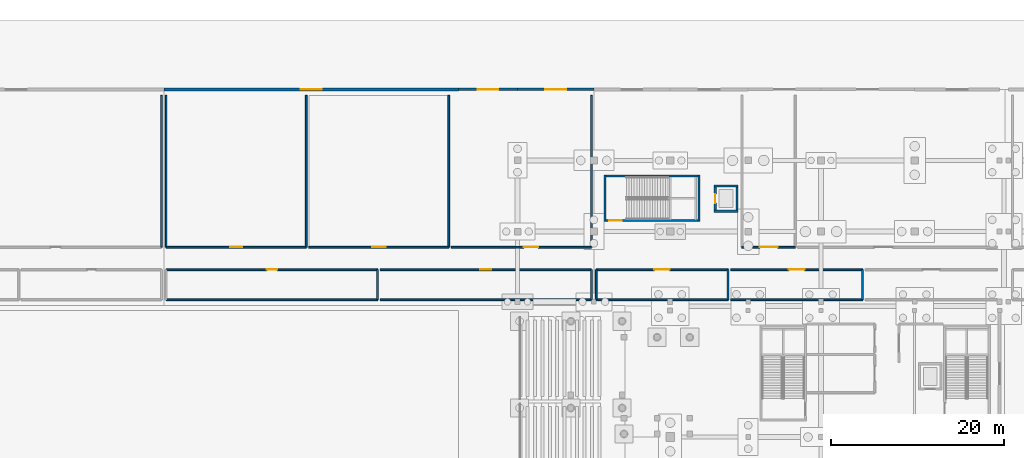
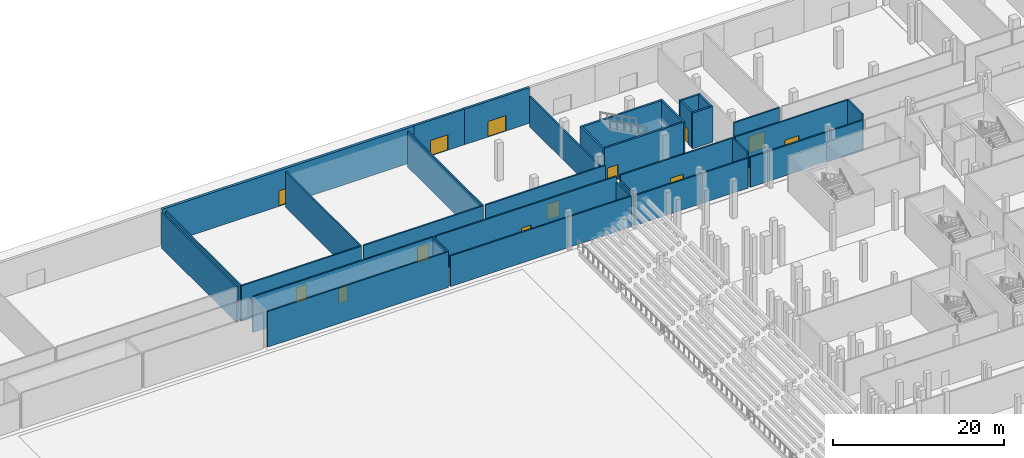
# One storey, part 48 of 89: 33 walls, 13 doors, 13 openings.
"""IFC4 building model written with IfcOpenShell, lengths in metres."""

from ifc_helpers import new_model, si_unit, direction, frame, frame_2d, origin, place, context, subcontext, project, spatial, rectangle, extrude, material, layer, layer_set, type_object, element, fill, save


model = new_model("IFC4")

# Units and contexts
model_context = context("Model", 3, precision=1e-05, world=origin(), true_north=direction((0.0, 1.0)))
body_context = subcontext(model_context, "Body", "Model", "MODEL_VIEW")
ifc_project = project(units=[si_unit("LENGTHUNIT", "METRE"), si_unit("AREAUNIT", "SQUARE_METRE"), si_unit("VOLUMEUNIT", "CUBIC_METRE"), si_unit("PLANEANGLEUNIT", "RADIAN"), si_unit("MASSUNIT", "GRAM", prefix="KILO")], contexts=[model_context])

# Site, building, storey
site_placement = place(None, origin())
site = spatial("IfcSite", under=ifc_project, at=site_placement, CompositionType="ELEMENT")
building_placement = place(site_placement, origin())
building = spatial("IfcBuilding", under=site, at=building_placement, Name="Koshinbarg Plaza Stadium", CompositionType="ELEMENT")
storey_placement = place(building_placement, origin())
storey = spatial("IfcBuildingStorey", under=building, at=storey_placement, Name="L00", CompositionType="ELEMENT", Elevation=0.0)

# Walls
ifc_material_1 = material(Name="Concrete C40/50", Category="concrete")
ifc_layer_1 = layer(ifc_material_1, 0.25)
ifc_layer_set_1 = layer_set([ifc_layer_1], Name="Concrete C40/50")
wall_type_1 = type_object("IfcWallType", Name="WL-CORE-250", PredefinedType="SHEAR", material=ifc_layer_set_1)
for number, where, z_axis, x_axis, name in (
    (1, (172.875, 142.1201171875, 0.0), (0.0, 0.0, 1.0), (0.0, -1.0, 0.0), "L00 core stair shear wall C12-near IWL-L00-0274"),
    (2, (183.72509765625, 136.75, 0.0), (0.0, 0.0, 1.0), (0.0, 1.0, 0.0), "L00 core stair shear wall C12-far IWL-L00-0275"),
):
    element("IfcWall", number, at=place(storey_placement, frame(where, z_axis=z_axis, x_axis=x_axis)), inside=storey, type_object=wall_type_1, Name=name, PredefinedType="SHEAR", context=body_context, shape_type="SweptSolid", body=[
        extrude(rectangle(XDim=5.3701171875, YDim=0.25, at=frame_2d((2.68505859375, 0.0))), origin(), (0.0, 0.0, 1.0), 5.080078125),
    ])
wall_1_placement = place(storey_placement, frame((172.875, 141.9951171875, 0.0), z_axis=(0.0, 0.0, 1.0), x_axis=(1.0, 0.0, 0.0)))
element("IfcWall", 3, at=wall_1_placement, inside=storey, type_object=wall_type_1, Name="L00 core stair shear wall C12-left IWL-L00-0276", PredefinedType="SHEAR", context=body_context, shape_type="SweptSolid", body=[
    extrude(rectangle(XDim=10.85009765625, YDim=0.25, at=frame_2d((5.425048828125, 0.0))), origin(), (0.0, 0.0, 1.0), 5.080078125),
])

# Wall, opening, door
wall_2_placement = place(storey_placement, frame((172.875, 136.875, 0.0), z_axis=(0.0, 0.0, 1.0), x_axis=(1.0, 0.0, 0.0)))
wall_2 = element("IfcWall", 4, at=wall_2_placement, inside=storey, type_object=wall_type_1, Name="L00 core stair shear wall C12-right IWL-L00-0277", PredefinedType="SHEAR", context=body_context, shape_type="SweptSolid", body=[
    extrude(rectangle(XDim=10.85009765625, YDim=0.25, at=frame_2d((5.425048828125, 0.0))), origin(), (0.0, 0.0, 1.0), 5.080078125),
])
opening_1_placement = place(wall_2_placement, frame((0.52001953125, 0.0, 0.0)))
opening_1 = element("IfcOpeningElement", 5, at=opening_1_placement, cuts=wall_2, Name="Opening D-0131", PredefinedType="OPENING", context=body_context, shape_type="SweptSolid", body=[
    extrude(rectangle(XDim=1.39990234375, YDim=2.14990234375, at=frame_2d((0.699951171875, 1.074951171875))), frame((0.0, 0.135009765625, 0.0), z_axis=(0.0, -1.0, 0.0), x_axis=(1.0, 0.0, 0.0)), (0.0, 0.0, 1.0), 0.27001953125),
])
ifc_material_2 = material(Name="Painted galvanized steel fire door", Category="steel")
door_type_1 = type_object("IfcDoorType", Name="DR-STAIR-1400", OperationType="NOTDEFINED", PredefinedType="DOOR", material=ifc_material_2)
door_1_placement = place(opening_1_placement, frame((1.39990234375, 0.0, 0.0), z_axis=(0.0, 0.0, 1.0), x_axis=(-1.0, 0.0, 0.0)))
door_1 = element("IfcDoor", 6, at=door_1_placement, inside=storey, type_object=door_type_1, Name="L00 exit stair door C12", OperationType="SINGLE_SWING_LEFT", OverallHeight=2.14990234375, OverallWidth=1.39990234375, PredefinedType="DOOR", context=body_context, shape_type="SweptSolid", body=[
    extrude(rectangle(XDim=1.39990234375, YDim=2.14990234375, at=frame_2d((0.699951171875, 1.074951171875))), frame((0.0, 0.02490234375, 0.0), z_axis=(0.0, -1.0, 0.0), x_axis=(1.0, 0.0, 0.0)), (0.0, 0.0, 1.0), 0.050048828125),
])
fill(opening_1, door_1)

# Walls
for number, where, z_axis, x_axis, name in (
    (7, (185.47509765625, 137.949951171875, 0.0), (0.0, 0.0, 1.0), (1.0, 0.0, 0.0), "L00 lift shaft shear wall LP08-S IWL-L00-0974"),
    (8, (188.22509765625, 140.85009765625, 0.0), (0.0, 0.0, 1.0), (-1.0, 0.0, 0.0), "L00 lift shaft shear wall LP08-N IWL-L00-0975"),
):
    element("IfcWall", number, at=place(storey_placement, frame(where, z_axis=z_axis, x_axis=x_axis)), inside=storey, type_object=wall_type_1, Name=name, PredefinedType="SHEAR", context=body_context, shape_type="SweptSolid", body=[
        extrude(rectangle(XDim=2.75, YDim=0.25, at=frame_2d((1.375, 0.0))), origin(), (0.0, 0.0, 1.0), 5.080078125),
    ])

# Wall, opening, door
wall_3_placement = place(storey_placement, frame((185.60009765625, 140.85009765625, 0.0), z_axis=(0.0, 0.0, 1.0), x_axis=(0.0, -1.0, 0.0)))
wall_3 = element("IfcWall", 9, at=wall_3_placement, inside=storey, type_object=wall_type_1, Name="L00 lift shaft shear wall LP08-W IWL-L00-0976", PredefinedType="SHEAR", context=body_context, shape_type="SweptSolid", body=[
    extrude(rectangle(XDim=2.900146484375, YDim=0.25, at=frame_2d((1.4501953125, 0.0))), origin(), (0.0, 0.0, 1.0), 5.080078125),
])
opening_2_placement = place(wall_3_placement, frame((0.925048828125, 0.0, 0.0)))
opening_2 = element("IfcOpeningElement", 10, at=opening_2_placement, cuts=wall_3, Name="Opening D-0313", PredefinedType="OPENING", context=body_context, shape_type="SweptSolid", body=[
    extrude(rectangle(XDim=1.050048828125, YDim=2.14990234375, at=frame_2d((0.52490234375, 1.074951171875))), frame((0.0, 0.135009765625, 0.0), z_axis=(0.0, -1.0, 0.0), x_axis=(1.0, 0.0, 0.0)), (0.0, 0.0, 1.0), 0.27001953125),
])
ifc_material_3 = material(Name="Brushed stainless steel sliding lift landing door", Category="steel")
door_type_2 = type_object("IfcDoorType", Name="DR-LIFT-1050", OperationType="NOTDEFINED", PredefinedType="DOOR", material=ifc_material_3)
door_2_placement = place(opening_2_placement, origin())
door_2 = element("IfcDoor", 11, at=door_2_placement, inside=storey, type_object=door_type_2, Name="L00 lift landing door LP08", OperationType="SLIDING_TO_LEFT", OverallHeight=2.14990234375, OverallWidth=1.050048828125, PredefinedType="DOOR", context=body_context, shape_type="SweptSolid", body=[
    extrude(rectangle(XDim=1.050048828125, YDim=2.14990234375, at=frame_2d((0.52490234375, 1.074951171875))), frame((0.0, 0.02490234375, 0.0), z_axis=(0.0, -1.0, 0.0), x_axis=(1.0, 0.0, 0.0)), (0.0, 0.0, 1.0), 0.050048828125),
])
fill(opening_2, door_2)

# Wall
wall_4_placement = place(storey_placement, frame((188.10009765625, 137.949951171875, 0.0), z_axis=(0.0, 0.0, 1.0), x_axis=(0.0, 1.0, 0.0)))
element("IfcWall", 12, at=wall_4_placement, inside=storey, type_object=wall_type_1, Name="L00 lift shaft shear wall LP08-E IWL-L00-0977", PredefinedType="SHEAR", context=body_context, shape_type="SweptSolid", body=[
    extrude(rectangle(XDim=2.900146484375, YDim=0.25, at=frame_2d((1.4501953125, 0.0))), origin(), (0.0, 0.0, 1.0), 5.080078125),
])

# Wall, opening, door
ifc_material_4 = material(Name="Terracotta-ochre mineral plaster insulated wall", Category="masonry")
ifc_layer_2 = layer(ifc_material_4, 0.280029296875)
ifc_layer_set_2 = layer_set([ifc_layer_2], Name="Terracotta-ochre mineral plaster insulated wall")
wall_type_2 = type_object("IfcWallType", Name="WL-EXT-280", PredefinedType="SOLIDWALL", material=ifc_layer_set_2)
wall_5_placement = place(storey_placement, frame((156.0, 152.0, 0.0), z_axis=(0.0, 0.0, 1.0), x_axis=(1.0, 0.0, 0.0)))
wall_5 = element("IfcWall", 13, at=wall_5_placement, inside=storey, type_object=wall_type_2, Name="L00 exterior envelope wall EWL-L00-0028", PredefinedType="SOLIDWALL", context=body_context, shape_type="SweptSolid", body=[
    extrude(rectangle(XDim=6.800048828125, YDim=0.280029296875, at=frame_2d((3.39990234375, 0.0))), origin(), (0.0, 0.0, 1.0), 5.080078125),
])
opening_3_placement = place(wall_5_placement, frame((2.199951171875, 0.0, 0.0)))
opening_3 = element("IfcOpeningElement", 14, at=opening_3_placement, cuts=wall_5, Name="Opening D-0029", PredefinedType="OPENING", context=body_context, shape_type="SweptSolid", body=[
    extrude(rectangle(XDim=2.39990234375, YDim=2.199951171875, at=frame_2d((1.199951171875, 1.10009765625))), frame((0.0, 0.14990234375, 0.0), z_axis=(0.0, -1.0, 0.0), x_axis=(1.0, 0.0, 0.0)), (0.0, 0.0, 1.0), 0.300048828125),
])
ifc_material_5 = material(Name="Anodised aluminium thermally broken exit door", Category="aluminium")
door_type_3 = type_object("IfcDoorType", Name="DR-EXIT-2400", OperationType="NOTDEFINED", PredefinedType="DOOR", material=ifc_material_5)
door_3_placement = place(opening_3_placement, origin())
door_3 = element("IfcDoor", 15, at=door_3_placement, inside=storey, type_object=door_type_3, Name="Main exit E28", OperationType="DOUBLE_DOOR_SINGLE_SWING", OverallHeight=2.199951171875, OverallWidth=2.39990234375, PredefinedType="DOOR", context=body_context, shape_type="SweptSolid", body=[
    extrude(rectangle(XDim=2.39990234375, YDim=2.199951171875, at=frame_2d((1.199951171875, 1.10009765625))), frame((0.0, 0.02490234375, 0.0), z_axis=(0.0, -1.0, 0.0), x_axis=(1.0, 0.0, 0.0)), (0.0, 0.0, 1.0), 0.050048828125),
])
fill(opening_3, door_3)

ifc_material_6 = material(Name="Off-white mineral plaster insulated wall", Category="masonry")
ifc_layer_3 = layer(ifc_material_6, 0.300048828125)
ifc_layer_set_3 = layer_set([ifc_layer_3], Name="Off-white mineral plaster insulated wall")
wall_type_3 = type_object("IfcWallType", Name="WL-EXT-300", PredefinedType="SOLIDWALL", material=ifc_layer_set_3)
wall_6_placement = place(storey_placement, frame((162.800048828125, 152.0, 0.0), z_axis=(0.0, 0.0, 1.0), x_axis=(1.0, 0.0, 0.0)))
wall_6 = element("IfcWall", 16, at=wall_6_placement, inside=storey, type_object=wall_type_3, Name="L00 exterior envelope wall EWL-L00-0029", PredefinedType="SOLIDWALL", context=body_context, shape_type="SweptSolid", body=[
    extrude(rectangle(XDim=8.800048828125, YDim=0.300048828125, at=frame_2d((4.39990234375, 0.0))), origin(), (0.0, 0.0, 1.0), 5.080078125),
])
opening_4_placement = place(wall_6_placement, frame((3.199951171875, 0.0, 0.0)))
opening_4 = element("IfcOpeningElement", 17, at=opening_4_placement, cuts=wall_6, Name="Opening D-0030", PredefinedType="OPENING", context=body_context, shape_type="SweptSolid", body=[
    extrude(rectangle(XDim=2.39990234375, YDim=2.199951171875, at=frame_2d((1.199951171875, 1.10009765625))), frame((0.0, 0.159912109375, 0.0), z_axis=(0.0, -1.0, 0.0), x_axis=(1.0, 0.0, 0.0)), (0.0, 0.0, 1.0), 0.320068359375),
])
door_4_placement = place(opening_4_placement, origin())
door_4 = element("IfcDoor", 18, at=door_4_placement, inside=storey, type_object=door_type_3, Name="Main exit E29", OperationType="DOUBLE_DOOR_SINGLE_SWING", OverallHeight=2.199951171875, OverallWidth=2.39990234375, PredefinedType="DOOR", context=body_context, shape_type="SweptSolid", body=[
    extrude(rectangle(XDim=2.39990234375, YDim=2.199951171875, at=frame_2d((1.199951171875, 1.10009765625))), frame((0.0, 0.02490234375, 0.0), z_axis=(0.0, -1.0, 0.0), x_axis=(1.0, 0.0, 0.0)), (0.0, 0.0, 1.0), 0.050048828125),
])
fill(opening_4, door_4)

ifc_material_7 = material(Name="Acoustic insulated masonry stadium wall", Category="masonry")
ifc_layer_4 = layer(ifc_material_7, 0.35009765625)
ifc_layer_set_4 = layer_set([ifc_layer_4], Name="Acoustic insulated masonry stadium wall")
wall_type_4 = type_object("IfcWallType", Name="WL-EXT-350", PredefinedType="SOLIDWALL", material=ifc_layer_set_4)
wall_7_placement = place(storey_placement, frame((122.0, 152.0, 0.0), z_axis=(0.0, 0.0, 1.0), x_axis=(1.0, 0.0, 0.0)))
wall_7 = element("IfcWall", 19, at=wall_7_placement, inside=storey, type_object=wall_type_4, Name="L00 exterior envelope wall EWL-L00-0027", PredefinedType="SOLIDWALL", context=body_context, shape_type="SweptSolid", body=[
    extrude(rectangle(XDim=34.0, YDim=0.35009765625, at=frame_2d((17.0, 0.0))), origin(), (0.0, 0.0, 1.0), 5.080078125),
])
opening_5_placement = place(wall_7_placement, frame((15.800048828125, 0.0, 0.0)))
opening_5 = element("IfcOpeningElement", 20, at=opening_5_placement, cuts=wall_7, Name="Opening D-0028", PredefinedType="OPENING", context=body_context, shape_type="SweptSolid", body=[
    extrude(rectangle(XDim=2.39990234375, YDim=2.199951171875, at=frame_2d((1.199951171875, 1.10009765625))), frame((0.0, 0.18505859375, 0.0), z_axis=(0.0, -1.0, 0.0), x_axis=(1.0, 0.0, 0.0)), (0.0, 0.0, 1.0), 0.3701171875),
])
door_5_placement = place(opening_5_placement, origin())
door_5 = element("IfcDoor", 21, at=door_5_placement, inside=storey, type_object=door_type_3, Name="Main exit E27", OperationType="DOUBLE_DOOR_SINGLE_SWING", OverallHeight=2.199951171875, OverallWidth=2.39990234375, PredefinedType="DOOR", context=body_context, shape_type="SweptSolid", body=[
    extrude(rectangle(XDim=2.39990234375, YDim=2.199951171875, at=frame_2d((1.199951171875, 1.10009765625))), frame((0.0, 0.02490234375, 0.0), z_axis=(0.0, -1.0, 0.0), x_axis=(1.0, 0.0, 0.0)), (0.0, 0.0, 1.0), 0.050048828125),
])
fill(opening_5, door_5)

# Walls
ifc_material_8 = material(Name="Autoclaved aerated blockwork fire partition", Category="masonry")
ifc_layer_5 = layer(ifc_material_8, 0.199951171875)
ifc_layer_set_5 = layer_set([ifc_layer_5], Name="Autoclaved aerated blockwork fire partition")
wall_type_5 = type_object("IfcWallType", Name="WL-PART-200", PredefinedType="PARTITIONING", material=ifc_layer_set_5)
wall_8_placement = place(storey_placement, frame((121.72998046875, 133.800048828125, 0.0), z_axis=(0.0, 0.0, 1.0), x_axis=(0.0, 1.0, 0.0)))
element("IfcWall", 22, at=wall_8_placement, inside=storey, type_object=wall_type_5, Name="L00 interior partition L00-120-east IWL-L00-1198", PredefinedType="PARTITIONING", context=body_context, shape_type="SweptSolid", body=[
    extrude(rectangle(XDim=17.5, YDim=0.199951171875, at=frame_2d((8.75, 0.0))), origin(), (0.0, 0.0, 1.0), 5.080078125),
])
wall_9_placement = place(storey_placement, frame((122.27001953125, 127.7451171875, 0.0), z_axis=(0.0, 0.0, 1.0), x_axis=(1.0, 0.0, 0.0)))
element("IfcWall", 23, at=wall_9_placement, inside=storey, type_object=wall_type_5, Name="L00 interior partition L00-121-south IWL-L00-1199", PredefinedType="PARTITIONING", context=body_context, shape_type="SweptSolid", body=[
    extrude(rectangle(XDim=24.3798828125, YDim=0.199951171875, at=frame_2d((12.18994140625, 0.0))), origin(), (0.0, 0.0, 1.0), 5.080078125),
])
wall_10_placement = place(storey_placement, frame((146.64990234375, 127.7451171875, 0.0), z_axis=(0.0, 0.0, 1.0), x_axis=(0.0, 1.0, 0.0)))
element("IfcWall", 24, at=wall_10_placement, inside=storey, type_object=wall_type_5, Name="L00 interior partition L00-121-east IWL-L00-1200", PredefinedType="PARTITIONING", context=body_context, shape_type="SweptSolid", body=[
    extrude(rectangle(XDim=3.454833984375, YDim=0.199951171875, at=frame_2d((1.7275390625, 0.0))), origin(), (0.0, 0.0, 1.0), 5.080078125),
])

# Wall, opening, door
wall_11_placement = place(storey_placement, frame((146.64990234375, 131.199951171875, 0.0), z_axis=(0.0, 0.0, 1.0), x_axis=(-1.0, 0.0, 0.0)))
wall_11 = element("IfcWall", 25, at=wall_11_placement, inside=storey, type_object=wall_type_5, Name="L00 interior partition L00-121-north IWL-L00-1201", PredefinedType="PARTITIONING", context=body_context, shape_type="SweptSolid", body=[
    extrude(rectangle(XDim=24.3798828125, YDim=0.199951171875, at=frame_2d((12.18994140625, 0.0))), origin(), (0.0, 0.0, 1.0), 5.080078125),
])
opening_6_placement = place(wall_11_placement, frame((11.590087890625, 0.0, 0.0)))
opening_6 = element("IfcOpeningElement", 26, at=opening_6_placement, cuts=wall_11, Name="Opening D-0390", PredefinedType="OPENING", context=body_context, shape_type="SweptSolid", body=[
    extrude(rectangle(XDim=1.199951171875, YDim=2.14990234375, at=frame_2d((0.60009765625, 1.074951171875))), frame((0.0, 0.10986328125, 0.0), z_axis=(0.0, -1.0, 0.0), x_axis=(1.0, 0.0, 0.0)), (0.0, 0.0, 1.0), 0.219970703125),
])
ifc_material_9 = material(Name="Solid-core hardwood leaf in painted steel frame", Category="steel")
door_type_4 = type_object("IfcDoorType", Name="DR-INT-1200x2150", OperationType="NOTDEFINED", PredefinedType="DOOR", material=ifc_material_9)
door_6_placement = place(opening_6_placement, origin())
door_6 = element("IfcDoor", 27, at=door_6_placement, inside=storey, type_object=door_type_4, Name="L00 Sports Museum Hall door D-0390", OperationType="SINGLE_SWING_RIGHT", OverallHeight=2.14990234375, OverallWidth=1.199951171875, PredefinedType="DOOR", context=body_context, shape_type="SweptSolid", body=[
    extrude(rectangle(XDim=1.199951171875, YDim=2.14990234375, at=frame_2d((0.60009765625, 1.074951171875))), frame((0.0, 0.02490234375, 0.0), z_axis=(0.0, -1.0, 0.0), x_axis=(1.0, 0.0, 0.0)), (0.0, 0.0, 1.0), 0.050048828125),
])
fill(opening_6, door_6)

# Walls
wall_12_placement = place(storey_placement, frame((146.949951171875, 127.7451171875, 0.0), z_axis=(0.0, 0.0, 1.0), x_axis=(1.0, 0.0, 0.0)))
element("IfcWall", 28, at=wall_12_placement, inside=storey, type_object=wall_type_5, Name="L00 interior partition L00-122-south IWL-L00-1203", PredefinedType="PARTITIONING", context=body_context, shape_type="SweptSolid", body=[
    extrude(rectangle(XDim=24.380126953125, YDim=0.199951171875, at=frame_2d((12.18994140625, 0.0))), origin(), (0.0, 0.0, 1.0), 4.360107421875),
])
wall_13_placement = place(storey_placement, frame((171.330078125, 127.7451171875, 0.0), z_axis=(0.0, 0.0, 1.0), x_axis=(0.0, 1.0, 0.0)))
element("IfcWall", 29, at=wall_13_placement, inside=storey, type_object=wall_type_5, Name="L00 interior partition L00-122-east IWL-L00-1204", PredefinedType="PARTITIONING", context=body_context, shape_type="SweptSolid", body=[
    extrude(rectangle(XDim=3.454833984375, YDim=0.199951171875, at=frame_2d((1.7275390625, 0.0))), origin(), (0.0, 0.0, 1.0), 4.31005859375),
])

# Wall, opening, door
wall_14_placement = place(storey_placement, frame((171.330078125, 131.199951171875, 0.0), z_axis=(0.0, 0.0, 1.0), x_axis=(-1.0, 0.0, 0.0)))
wall_14 = element("IfcWall", 30, at=wall_14_placement, inside=storey, type_object=wall_type_5, Name="L00 interior partition L00-122-north IWL-L00-1205", PredefinedType="PARTITIONING", context=body_context, shape_type="SweptSolid", body=[
    extrude(rectangle(XDim=24.380126953125, YDim=0.199951171875, at=frame_2d((12.18994140625, 0.0))), origin(), (0.0, 0.0, 1.0), 5.080078125),
])
opening_7_placement = place(wall_14_placement, frame((11.5400390625, 0.0, 0.0)))
opening_7 = element("IfcOpeningElement", 31, at=opening_7_placement, cuts=wall_14, Name="Opening D-0391", PredefinedType="OPENING", context=body_context, shape_type="SweptSolid", body=[
    extrude(rectangle(XDim=1.300048828125, YDim=2.199951171875, at=frame_2d((0.64990234375, 1.10009765625))), frame((0.0, 0.10986328125, 0.0), z_axis=(0.0, -1.0, 0.0), x_axis=(1.0, 0.0, 0.0)), (0.0, 0.0, 1.0), 0.219970703125),
])
ifc_material_10 = material(Name="Thermally broken anodised aluminium glazed door", Category="aluminium")
door_type_5 = type_object("IfcDoorType", Name="DR-INT-1300x2200", OperationType="NOTDEFINED", PredefinedType="DOOR", material=ifc_material_10)
door_7_placement = place(opening_7_placement, origin())
door_7 = element("IfcDoor", 32, at=door_7_placement, inside=storey, type_object=door_type_5, Name="L00 North Gate Ticketing Foyer door D-0391", OperationType="SINGLE_SWING_LEFT", OverallHeight=2.199951171875, OverallWidth=1.300048828125, PredefinedType="DOOR", context=body_context, shape_type="SweptSolid", body=[
    extrude(rectangle(XDim=1.300048828125, YDim=2.199951171875, at=frame_2d((0.64990234375, 1.10009765625))), frame((0.0, 0.02490234375, 0.0), z_axis=(0.0, -1.0, 0.0), x_axis=(1.0, 0.0, 0.0)), (0.0, 0.0, 1.0), 0.050048828125),
])
fill(opening_7, door_7)

wall_15_placement = place(storey_placement, frame((122.27001953125, 133.800048828125, 0.0), z_axis=(0.0, 0.0, 1.0), x_axis=(1.0, 0.0, 0.0)))
wall_15 = element("IfcWall", 33, at=wall_15_placement, inside=storey, type_object=wall_type_5, Name="L00 interior partition L00-123-south IWL-L00-1206", PredefinedType="PARTITIONING", context=body_context, shape_type="SweptSolid", body=[
    extrude(rectangle(XDim=16.1533203125, YDim=0.199951171875, at=frame_2d((8.07666015625, 0.0))), origin(), (0.0, 0.0, 1.0), 5.080078125),
])
opening_8_placement = place(wall_15_placement, frame((7.376708984375, 0.0, 0.0)))
opening_8 = element("IfcOpeningElement", 34, at=opening_8_placement, cuts=wall_15, Name="Opening D-0392", PredefinedType="OPENING", context=body_context, shape_type="SweptSolid", body=[
    extrude(rectangle(XDim=1.39990234375, YDim=2.199951171875, at=frame_2d((0.699951171875, 1.10009765625))), frame((0.0, 0.10986328125, 0.0), z_axis=(0.0, -1.0, 0.0), x_axis=(1.0, 0.0, 0.0)), (0.0, 0.0, 1.0), 0.219970703125),
])
ifc_material_11 = material(Name="Stainless-clad solid-core timber double fire door", Category="wood")
door_type_6 = type_object("IfcDoorType", Name="DR-INT-1400x2200", OperationType="NOTDEFINED", PredefinedType="DOOR", material=ifc_material_11)
door_8_placement = place(opening_8_placement, origin())
door_8 = element("IfcDoor", 35, at=door_8_placement, inside=storey, type_object=door_type_6, Name="L00 North Gate Ticketing Foyer door D-0392", OperationType="DOUBLE_DOOR_SINGLE_SWING", OverallHeight=2.199951171875, OverallWidth=1.39990234375, PredefinedType="DOOR", context=body_context, shape_type="SweptSolid", body=[
    extrude(rectangle(XDim=1.39990234375, YDim=2.199951171875, at=frame_2d((0.699951171875, 1.10009765625))), frame((0.0, 0.02490234375, 0.0), z_axis=(0.0, -1.0, 0.0), x_axis=(1.0, 0.0, 0.0)), (0.0, 0.0, 1.0), 0.050048828125),
])
fill(opening_8, door_8)

# Walls
for number, where, z_axis, x_axis, name in (
    (36, (138.42333984375, 133.800048828125, 0.0), (0.0, 0.0, 1.0), (0.0, 1.0, 0.0), "L00 interior partition L00-123-east IWL-L00-1207"),
    (37, (122.27001953125, 151.300048828125, 0.0), (0.0, 0.0, 1.0), (0.0, -1.0, 0.0), "L00 interior partition L00-123-west IWL-L00-1208"),
):
    element("IfcWall", number, at=place(storey_placement, frame(where, z_axis=z_axis, x_axis=x_axis)), inside=storey, type_object=wall_type_5, Name=name, PredefinedType="PARTITIONING", context=body_context, shape_type="SweptSolid", body=[
        extrude(rectangle(XDim=17.5, YDim=0.199951171875, at=frame_2d((8.75, 0.0))), origin(), (0.0, 0.0, 1.0), 5.080078125),
    ])

# Wall, opening, door
wall_16_placement = place(storey_placement, frame((138.723388671875, 133.800048828125, 0.0), z_axis=(0.0, 0.0, 1.0), x_axis=(1.0, 0.0, 0.0)))
wall_16 = element("IfcWall", 38, at=wall_16_placement, inside=storey, type_object=wall_type_5, Name="L00 interior partition L00-124-south IWL-L00-1209", PredefinedType="PARTITIONING", context=body_context, shape_type="SweptSolid", body=[
    extrude(rectangle(XDim=16.1533203125, YDim=0.199951171875, at=frame_2d((8.07666015625, 0.0))), origin(), (0.0, 0.0, 1.0), 5.080078125),
])
opening_9_placement = place(wall_16_placement, frame((7.3017578125, 0.0, 0.0)))
opening_9 = element("IfcOpeningElement", 39, at=opening_9_placement, cuts=wall_16, Name="Opening D-0393", PredefinedType="OPENING", context=body_context, shape_type="SweptSolid", body=[
    extrude(rectangle(XDim=1.550048828125, YDim=2.199951171875, at=frame_2d((0.77490234375, 1.10009765625))), frame((0.0, 0.10986328125, 0.0), z_axis=(0.0, -1.0, 0.0), x_axis=(1.0, 0.0, 0.0)), (0.0, 0.0, 1.0), 0.219970703125),
])
ifc_material_12 = material(Name="Toughened laminated glass in aluminium frame", Category="aluminium")
door_type_7 = type_object("IfcDoorType", Name="DR-INT-1550x2200", OperationType="NOTDEFINED", PredefinedType="DOOR", material=ifc_material_12)
door_9_placement = place(opening_9_placement, origin())
door_9 = element("IfcDoor", 40, at=door_9_placement, inside=storey, type_object=door_type_7, Name="L00 Olympic Heritage Exhibition Hall door D-0393", OperationType="DOUBLE_DOOR_SINGLE_SWING", OverallHeight=2.199951171875, OverallWidth=1.550048828125, PredefinedType="DOOR", context=body_context, shape_type="SweptSolid", body=[
    extrude(rectangle(XDim=1.550048828125, YDim=2.199951171875, at=frame_2d((0.77490234375, 1.10009765625))), frame((0.0, 0.02490234375, 0.0), z_axis=(0.0, -1.0, 0.0), x_axis=(1.0, 0.0, 0.0)), (0.0, 0.0, 1.0), 0.050048828125),
])
fill(opening_9, door_9)

# Wall
wall_17_placement = place(storey_placement, frame((154.876708984375, 133.800048828125, 0.0), z_axis=(0.0, 0.0, 1.0), x_axis=(0.0, 1.0, 0.0)))
element("IfcWall", 41, at=wall_17_placement, inside=storey, type_object=wall_type_5, Name="L00 interior partition L00-124-east IWL-L00-1210", PredefinedType="PARTITIONING", context=body_context, shape_type="SweptSolid", body=[
    extrude(rectangle(XDim=17.5, YDim=0.199951171875, at=frame_2d((8.75, 0.0))), origin(), (0.0, 0.0, 1.0), 5.080078125),
])

# Wall, opening, door
wall_18_placement = place(storey_placement, frame((155.1767578125, 133.800048828125, 0.0), z_axis=(0.0, 0.0, 1.0), x_axis=(1.0, 0.0, 0.0)))
wall_18 = element("IfcWall", 42, at=wall_18_placement, inside=storey, type_object=wall_type_5, Name="L00 interior partition L00-125-south IWL-L00-1211", PredefinedType="PARTITIONING", context=body_context, shape_type="SweptSolid", body=[
    extrude(rectangle(XDim=16.1533203125, YDim=0.199951171875, at=frame_2d((8.07666015625, 0.0))), origin(), (0.0, 0.0, 1.0), 5.080078125),
])
opening_10_placement = place(wall_18_placement, frame((8.33837890625, 0.0, 0.0)))
opening_10 = element("IfcOpeningElement", 43, at=opening_10_placement, cuts=wall_18, Name="Opening D-0394", PredefinedType="OPENING", context=body_context, shape_type="SweptSolid", body=[
    extrude(rectangle(XDim=1.679931640625, YDim=2.25, at=frame_2d((0.83984375, 1.125))), frame((0.0, 0.10986328125, 0.0), z_axis=(0.0, -1.0, 0.0), x_axis=(1.0, 0.0, 0.0)), (0.0, 0.0, 1.0), 0.219970703125),
])
ifc_material_13 = material(Name="Powder-coated aluminium double glazed door", Category="aluminium")
door_type_8 = type_object("IfcDoorType", Name="DR-INT-1680x2250", OperationType="NOTDEFINED", PredefinedType="DOOR", material=ifc_material_13)
door_10_placement = place(opening_10_placement, origin())
door_10 = element("IfcDoor", 44, at=door_10_placement, inside=storey, type_object=door_type_8, Name="L00 Tashkent Football Heritage Salon door D-0394", OperationType="DOUBLE_DOOR_SINGLE_SWING", OverallHeight=2.25, OverallWidth=1.679931640625, PredefinedType="DOOR", context=body_context, shape_type="SweptSolid", body=[
    extrude(rectangle(XDim=1.679931640625, YDim=2.25, at=frame_2d((0.83984375, 1.125))), frame((0.0, 0.02490234375, 0.0), z_axis=(0.0, -1.0, 0.0), x_axis=(1.0, 0.0, 0.0)), (0.0, 0.0, 1.0), 0.050048828125),
])
fill(opening_10, door_10)

# Walls
wall_19_placement = place(storey_placement, frame((171.330078125, 133.800048828125, 0.0), z_axis=(0.0, 0.0, 1.0), x_axis=(0.0, 1.0, 0.0)))
element("IfcWall", 45, at=wall_19_placement, inside=storey, type_object=wall_type_5, Name="L00 interior partition L00-125-east IWL-L00-1212", PredefinedType="PARTITIONING", context=body_context, shape_type="SweptSolid", body=[
    extrude(rectangle(XDim=17.5, YDim=0.199951171875, at=frame_2d((8.75, 0.0))), origin(), (0.0, 0.0, 1.0), 4.31005859375),
])
wall_20_placement = place(storey_placement, frame((171.8701171875, 127.7451171875, 0.0), z_axis=(0.0, 0.0, 1.0), x_axis=(1.0, 0.0, 0.0)))
element("IfcWall", 46, at=wall_20_placement, inside=storey, type_object=wall_type_5, Name="L00 interior partition L00-126-south IWL-L00-1213", PredefinedType="PARTITIONING", context=body_context, shape_type="SweptSolid", body=[
    extrude(rectangle(XDim=15.211669921875, YDim=0.199951171875, at=frame_2d((7.60595703125, 0.0))), origin(), (0.0, 0.0, 1.0), 4.260009765625),
])
wall_21_placement = place(storey_placement, frame((187.081787109375, 127.7451171875, 0.0), z_axis=(0.0, 0.0, 1.0), x_axis=(0.0, 1.0, 0.0)))
element("IfcWall", 47, at=wall_21_placement, inside=storey, type_object=wall_type_5, Name="L00 interior partition L00-126-east IWL-L00-1214", PredefinedType="PARTITIONING", context=body_context, shape_type="SweptSolid", body=[
    extrude(rectangle(XDim=3.454833984375, YDim=0.199951171875, at=frame_2d((1.7275390625, 0.0))), origin(), (0.0, 0.0, 1.0), 5.080078125),
])

# Wall, opening, door
wall_22_placement = place(storey_placement, frame((187.081787109375, 131.199951171875, 0.0), z_axis=(0.0, 0.0, 1.0), x_axis=(-1.0, 0.0, 0.0)))
wall_22 = element("IfcWall", 48, at=wall_22_placement, inside=storey, type_object=wall_type_5, Name="L00 interior partition L00-126-north IWL-L00-1215", PredefinedType="PARTITIONING", context=body_context, shape_type="SweptSolid", body=[
    extrude(rectangle(XDim=15.211669921875, YDim=0.199951171875, at=frame_2d((7.60595703125, 0.0))), origin(), (0.0, 0.0, 1.0), 5.080078125),
])
opening_11_placement = place(wall_22_placement, frame((6.725830078125, 0.0, 0.0)))
opening_11 = element("IfcOpeningElement", 49, at=opening_11_placement, cuts=wall_22, Name="Opening D-0395", PredefinedType="OPENING", context=body_context, shape_type="SweptSolid", body=[
    extrude(rectangle(XDim=1.760009765625, YDim=2.25, at=frame_2d((0.8798828125, 1.125))), frame((0.0, 0.10986328125, 0.0), z_axis=(0.0, -1.0, 0.0), x_axis=(1.0, 0.0, 0.0)), (0.0, 0.0, 1.0), 0.219970703125),
])
ifc_material_14 = material(Name="Solid-core oak veneer double swing door")
door_type_9 = type_object("IfcDoorType", Name="DR-INT-1760x2250", OperationType="NOTDEFINED", PredefinedType="DOOR", material=ifc_material_14)
door_11_placement = place(opening_11_placement, origin())
door_11 = element("IfcDoor", 50, at=door_11_placement, inside=storey, type_object=door_type_9, Name="L00 North Gate Ticketing Foyer door D-0395", OperationType="DOUBLE_DOOR_SINGLE_SWING", OverallHeight=2.25, OverallWidth=1.760009765625, PredefinedType="DOOR", context=body_context, shape_type="SweptSolid", body=[
    extrude(rectangle(XDim=1.760009765625, YDim=2.25, at=frame_2d((0.8798828125, 1.125))), frame((0.0, 0.02490234375, 0.0), z_axis=(0.0, -1.0, 0.0), x_axis=(1.0, 0.0, 0.0)), (0.0, 0.0, 1.0), 0.050048828125),
])
fill(opening_11, door_11)

# Walls
wall_23_placement = place(storey_placement, frame((171.8701171875, 131.199951171875, 0.0), z_axis=(0.0, 0.0, 1.0), x_axis=(0.0, -1.0, 0.0)))
element("IfcWall", 51, at=wall_23_placement, inside=storey, type_object=wall_type_5, Name="L00 interior partition L00-126-west IWL-L00-1216", PredefinedType="PARTITIONING", context=body_context, shape_type="SweptSolid", body=[
    extrude(rectangle(XDim=3.454833984375, YDim=0.199951171875, at=frame_2d((1.7275390625, 0.0))), origin(), (0.0, 0.0, 1.0), 4.31005859375),
])
wall_24_placement = place(storey_placement, frame((187.381591796875, 127.7451171875, 0.0), z_axis=(0.0, 0.0, 1.0), x_axis=(1.0, 0.0, 0.0)))
element("IfcWall", 52, at=wall_24_placement, inside=storey, type_object=wall_type_5, Name="L00 interior partition L00-127-south IWL-L00-1217", PredefinedType="PARTITIONING", context=body_context, shape_type="SweptSolid", body=[
    extrude(rectangle(XDim=15.211669921875, YDim=0.199951171875, at=frame_2d((7.60595703125, 0.0))), origin(), (0.0, 0.0, 1.0), 4.260009765625),
])
wall_25_placement = place(storey_placement, frame((202.59326171875, 127.7451171875, 0.0), z_axis=(0.0, 0.0, 1.0), x_axis=(0.0, 1.0, 0.0)))
element("IfcWall", 53, at=wall_25_placement, inside=storey, type_object=wall_type_5, Name="L00 interior partition L00-127-east IWL-L00-1218", PredefinedType="PARTITIONING", context=body_context, shape_type="SweptSolid", body=[
    extrude(rectangle(XDim=3.454833984375, YDim=0.199951171875, at=frame_2d((1.7275390625, 0.0))), origin(), (0.0, 0.0, 1.0), 5.080078125),
])

# Wall, opening, door
wall_26_placement = place(storey_placement, frame((202.59326171875, 131.199951171875, 0.0), z_axis=(0.0, 0.0, 1.0), x_axis=(-1.0, 0.0, 0.0)))
wall_26 = element("IfcWall", 54, at=wall_26_placement, inside=storey, type_object=wall_type_5, Name="L00 interior partition L00-127-north IWL-L00-1219", PredefinedType="PARTITIONING", context=body_context, shape_type="SweptSolid", body=[
    extrude(rectangle(XDim=15.211669921875, YDim=0.199951171875, at=frame_2d((7.60595703125, 0.0))), origin(), (0.0, 0.0, 1.0), 5.080078125),
])
opening_12_placement = place(wall_26_placement, frame((6.67578125, 0.0, 0.0)))
opening_12 = element("IfcOpeningElement", 55, at=opening_12_placement, cuts=wall_26, Name="Opening D-0396", PredefinedType="OPENING", context=body_context, shape_type="SweptSolid", body=[
    extrude(rectangle(XDim=1.860107421875, YDim=2.300048828125, at=frame_2d((0.93017578125, 1.14990234375))), frame((0.0, 0.10986328125, 0.0), z_axis=(0.0, -1.0, 0.0), x_axis=(1.0, 0.0, 0.0)), (0.0, 0.0, 1.0), 0.219970703125),
])
ifc_material_15 = material(Name="Acoustic solid-core walnut veneer fire door")
door_type_10 = type_object("IfcDoorType", Name="DR-INT-1860x2300", OperationType="NOTDEFINED", PredefinedType="DOOR", material=ifc_material_15)
door_12_placement = place(opening_12_placement, origin())
door_12 = element("IfcDoor", 56, at=door_12_placement, inside=storey, type_object=door_type_10, Name="L00 Olympic Heritage Exhibition Hall door D-0396", OperationType="DOUBLE_DOOR_SINGLE_SWING", OverallHeight=2.300048828125, OverallWidth=1.860107421875, PredefinedType="DOOR", context=body_context, shape_type="SweptSolid", body=[
    extrude(rectangle(XDim=1.860107421875, YDim=2.300048828125, at=frame_2d((0.93017578125, 1.14990234375))), frame((0.0, 0.02490234375, 0.0), z_axis=(0.0, -1.0, 0.0), x_axis=(1.0, 0.0, 0.0)), (0.0, 0.0, 1.0), 0.050048828125),
])
fill(opening_12, door_12)

wall_27_placement = place(storey_placement, frame((188.679931640625, 133.800048828125, 0.0), z_axis=(0.0, 0.0, 1.0), x_axis=(1.0, 0.0, 0.0)))
wall_27 = element("IfcWall", 57, at=wall_27_placement, inside=storey, type_object=wall_type_5, Name="L00 interior partition L00-129-south IWL-L00-1222", PredefinedType="PARTITIONING", context=body_context, shape_type="SweptSolid", body=[
    extrude(rectangle(XDim=6.157470703125, YDim=0.199951171875, at=frame_2d((3.07861328125, 0.0))), origin(), (0.0, 0.0, 1.0), 5.080078125),
])
opening_13_placement = place(wall_27_placement, frame((2.038818359375, 0.0, 0.0)))
opening_13 = element("IfcOpeningElement", 58, at=opening_13_placement, cuts=wall_27, Name="Opening D-0398", PredefinedType="OPENING", context=body_context, shape_type="SweptSolid", body=[
    extrude(rectangle(XDim=2.080078125, YDim=2.35009765625, at=frame_2d((1.0400390625, 1.175048828125))), frame((0.0, 0.10986328125, 0.0), z_axis=(0.0, -1.0, 0.0), x_axis=(1.0, 0.0, 0.0)), (0.0, 0.0, 1.0), 0.219970703125),
])
ifc_material_16 = material(Name="Laminated safety glass aluminium vestibule door", Category="aluminium")
door_type_11 = type_object("IfcDoorType", Name="DR-INT-2080x2350", OperationType="NOTDEFINED", PredefinedType="DOOR", material=ifc_material_16)
door_13_placement = place(opening_13_placement, origin())
door_13 = element("IfcDoor", 59, at=door_13_placement, inside=storey, type_object=door_type_11, Name="L00 Olympic Heritage Exhibition Hall door D-0398", OperationType="DOUBLE_DOOR_SINGLE_SWING", OverallHeight=2.35009765625, OverallWidth=2.080078125, PredefinedType="DOOR", context=body_context, shape_type="SweptSolid", body=[
    extrude(rectangle(XDim=2.080078125, YDim=2.35009765625, at=frame_2d((1.0400390625, 1.175048828125))), frame((0.0, 0.02490234375, 0.0), z_axis=(0.0, -1.0, 0.0), x_axis=(1.0, 0.0, 0.0)), (0.0, 0.0, 1.0), 0.050048828125),
])
fill(opening_13, door_13)

save(model, "model.ifc")
